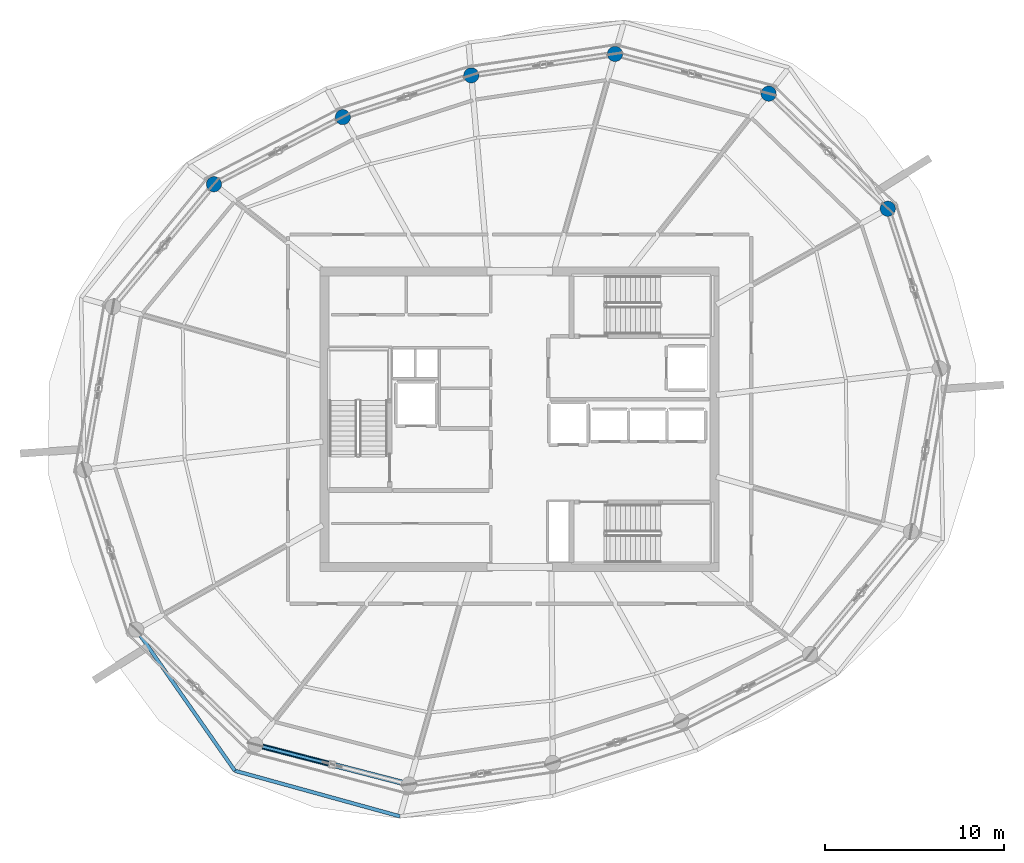
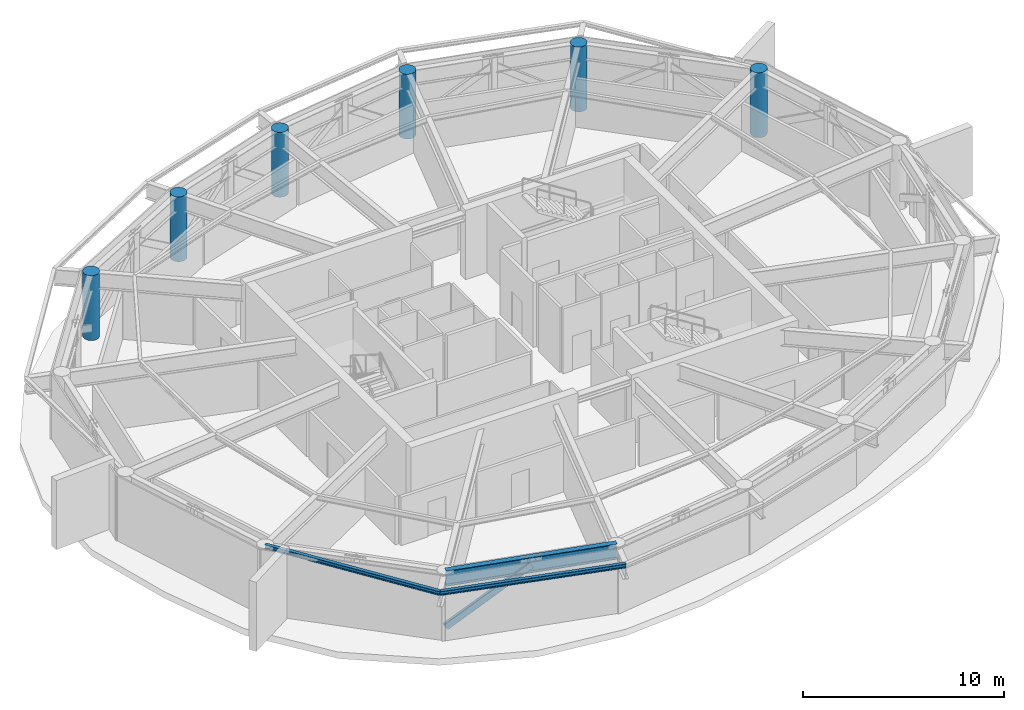
# One storey, part 4 of 14: 6 columns, 3 beams, 1 member.
"""IFC4 building model written with IfcOpenShell, lengths in metres."""

from ifc_helpers import new_model, si_unit, direction, frame, origin, origin_2d, place, context, subcontext, project, spatial, hollow_rectangle, circle, i_section, extrude, material, material_profile, profile_set, type_object, element, save


model = new_model("IFC4")

# Units and contexts
model_context = context("Model", 3, precision=1e-05, world=origin(), true_north=direction((0.0, 1.0)))
body_context = subcontext(model_context, "Body", "Model", "MODEL_VIEW")
ifc_project = project(units=[si_unit("LENGTHUNIT", "METRE"), si_unit("AREAUNIT", "SQUARE_METRE"), si_unit("VOLUMEUNIT", "CUBIC_METRE"), si_unit("PLANEANGLEUNIT", "RADIAN"), si_unit("MASSUNIT", "GRAM", prefix="KILO")], contexts=[model_context])

# Site, building, storey
site_placement = place(None, origin())
site = spatial("IfcSite", under=ifc_project, at=site_placement, CompositionType="ELEMENT")
building_placement = place(site_placement, origin())
building = spatial("IfcBuilding", under=site, at=building_placement, Name="Kazma Halo Residences", CompositionType="ELEMENT")
storey_placement = place(building_placement, frame((0.0, 0.0, 343.10009765625)))
storey = spatial("IfcBuildingStorey", under=building, at=storey_placement, Name="L86", CompositionType="ELEMENT", Elevation=343.10009765625)

# Columns
ifc_material_1 = material(Name="Concrete C60/75", Category="concrete")
ifc_material_profile_1 = material_profile(ifc_material_1, circle(Radius=0.425048828125, at=origin_2d()), Name="CIRC850")
ifc_profile_set_1 = profile_set([ifc_material_profile_1], Name="Concrete C60/75")
column_type = type_object("IfcColumnType", Name="COL-PERIM-850", PredefinedType="COLUMN", material=ifc_profile_set_1)
for number, where, z_axis, x_axis, name in (
    (1, (68.96337890625, 53.739990234375, 0.0), (0.0, 0.0, 1.0), (1.0, 0.0, 0.0), "L86 perimeter ring column P01"),
    (2, (62.31591796875, 60.159423828125, 0.0), (0.0, 0.0, 1.0), (1.0, 0.0, 0.0), "L86 perimeter ring column P02"),
    (3, (53.74658203125, 62.37646484375, 0.0), (0.0, 0.0, 1.0), (1.0, 0.0, 0.0), "L86 perimeter ring column P03"),
    (4, (45.72998046875, 61.17919921875, 0.0), (0.0, 0.0, 1.0), (1.0, 0.0, 0.0), "L86 perimeter ring column P04"),
    (5, (38.563232421875, 58.8505859375, 0.0), (0.0, 0.0, 1.0), (1.0, 0.0, 0.0), "L86 perimeter ring column P05"),
    (6, (31.373779296875, 55.10693359375, 0.0), (0.0, 0.0, 1.0), (1.0, 0.0, 0.0), "L86 perimeter ring column P06"),
):
    element("IfcColumn", number, at=place(storey_placement, frame(where, z_axis=z_axis, x_axis=x_axis)), inside=storey, type_object=column_type, Name=name, PredefinedType="COLUMN", context=body_context, shape_type="SweptSolid", body=[
        extrude(circle(Radius=0.425048828125, at=origin_2d()), origin(), (0.0, 0.0, 1.0), 3.93994140625),
    ])

# Beams
ifc_material_2 = material(Name="Steel S355", Category="steel")
ifc_material_profile_2 = material_profile(ifc_material_2, i_section(OverallWidth=0.201904296875, OverallDepth=0.2470703125, WebThickness=0.00732421875, FlangeThickness=0.010986328125, FilletRadius=0.011962890625, at=origin_2d()), Name="W250x49.1")
ifc_profile_set_2 = profile_set([ifc_material_profile_2], Name="Steel S355")
beam_type_1 = type_object("IfcBeamType", Name="BM-BAL-CANT", PredefinedType="BEAM", material=ifc_profile_set_2)
beam_1_placement = place(storey_placement, frame((27.03662109375, 30.260009765625, 3.81640625), z_axis=(0.572873629847, -0.819643705659, 0.0), x_axis=(0.819643705659, 0.572873629847, 0.0)))
element("IfcBeam", 7, at=beam_1_placement, inside=storey, type_object=beam_type_1, Name="L86 wave-balcony lead tie beam 09", PredefinedType="BEAM", context=body_context, shape_type="SweptSolid", body=[
    extrude(i_section(OverallWidth=0.201904296875, OverallDepth=0.2470703125, WebThickness=0.00732421875, FlangeThickness=0.010986328125, FilletRadius=0.011962890625, at=origin_2d()), origin(), (0.0, 0.0, 1.0), 9.6044921875),
])
beam_2_placement = place(storey_placement, frame((32.538818359375, 22.3876953125, 3.81640625), z_axis=(0.96390336926, -0.266252314035, 0.0), x_axis=(0.266252314035, 0.96390336926, 0.0)))
element("IfcBeam", 8, at=beam_2_placement, inside=storey, type_object=beam_type_1, Name="L86 wave-balcony tie beam 10", PredefinedType="BEAM", context=body_context, shape_type="SweptSolid", body=[
    extrude(i_section(OverallWidth=0.201904296875, OverallDepth=0.2470703125, WebThickness=0.00732421875, FlangeThickness=0.010986328125, FilletRadius=0.011962890625, at=origin_2d()), origin(), (0.0, 0.0, 1.0), 9.557373046875),
])
ifc_material_profile_3 = material_profile(ifc_material_2, i_section(OverallWidth=0.30908203125, OverallDepth=0.931884765625, WebThickness=0.02099609375, FlangeThickness=0.034423828125, FilletRadius=0.02392578125, at=origin_2d()), Name="W920x313")
ifc_profile_set_3 = profile_set([ifc_material_profile_3], Name="Steel S355")
beam_type_2 = type_object("IfcBeamType", Name="BM-BELT-W920A", PredefinedType="BEAM", material=ifc_profile_set_3)
beam_3_placement = place(storey_placement, frame((33.68408203125, 23.840576171875, 3.473876953125), z_axis=(0.968124082793, -0.250471076805, 0.0), x_axis=(0.250471076805, 0.968124082793, 0.0)))
element("IfcBeam", 9, at=beam_3_placement, inside=storey, type_object=beam_type_2, Name="L86 perimeter ring beam 10", PredefinedType="BEAM", context=body_context, shape_type="SweptSolid", body=[
    extrude(i_section(OverallWidth=0.30908203125, OverallDepth=0.931884765625, WebThickness=0.02099609375, FlangeThickness=0.034423828125, FilletRadius=0.02392578125, at=origin_2d()), origin(), (0.0, 0.0, 1.0), 8.8515625),
])

# Member
ifc_material_profile_4 = material_profile(ifc_material_2, hollow_rectangle(XDim=0.199951171875, YDim=0.39990234375, WallThickness=0.01611328125, InnerFilletRadius=0.01611328125, OuterFilletRadius=0.031982421875, at=origin_2d()), Name="RHS400x200x16")
ifc_profile_set_4 = profile_set([ifc_material_profile_4], Name="Steel S355")
member_type = type_object("IfcMemberType", Name="MBR-BELT-RHS400", PredefinedType="BRACE", material=ifc_profile_set_4)
member_placement = place(storey_placement, frame((33.68408203125, 23.840576171875, 0.47998046875), z_axis=(0.806418221757, -0.208611893264, 0.553326964467), x_axis=(0.250445225025, 0.968130770745, 0.0)))
element("IfcMember", 10, at=member_placement, inside=storey, type_object=member_type, Name="L86 belt-truss chevron diagonal 10A", PredefinedType="BRACE", context=body_context, shape_type="SweptSolid", body=[
    extrude(hollow_rectangle(XDim=0.199951171875, YDim=0.39990234375, WallThickness=0.01611328125, InnerFilletRadius=0.01611328125, OuterFilletRadius=0.031982421875, at=origin_2d()), origin(), (0.0, 0.0, 1.0), 5.313232421875),
])

save(model, "model.ifc")
